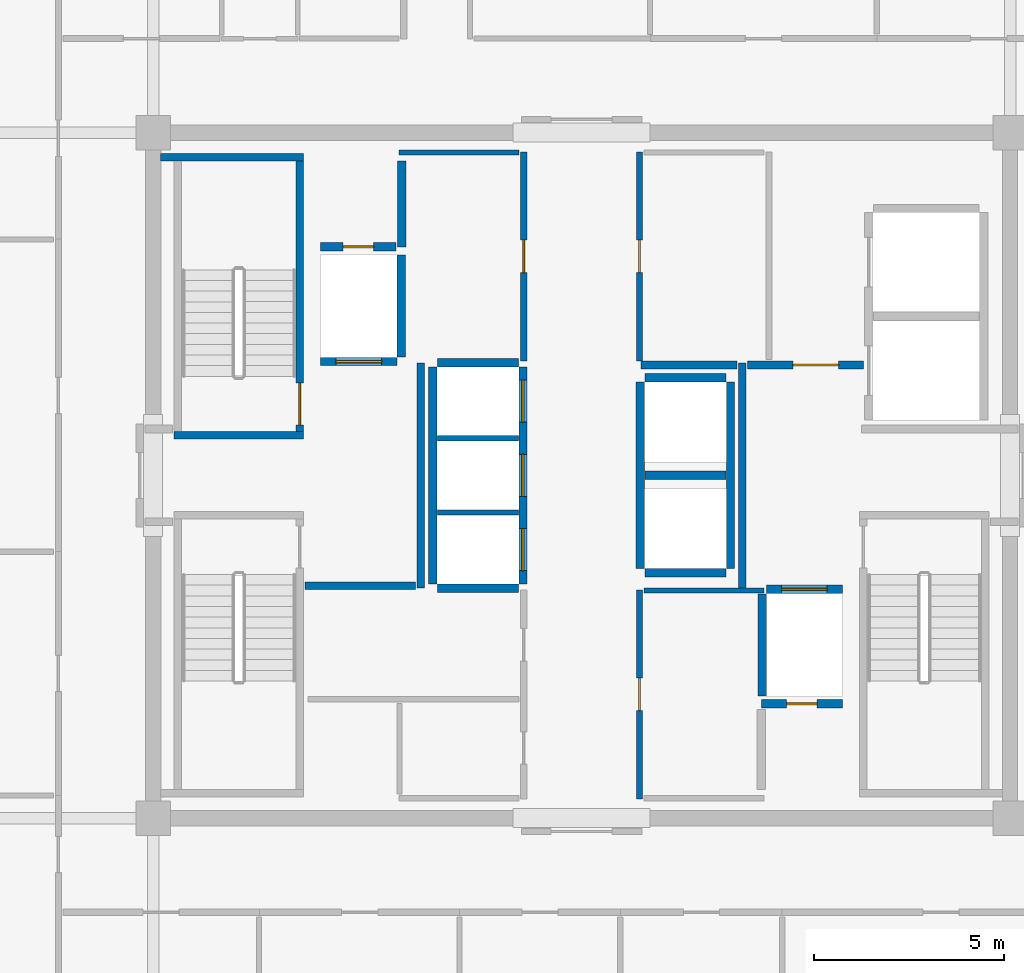
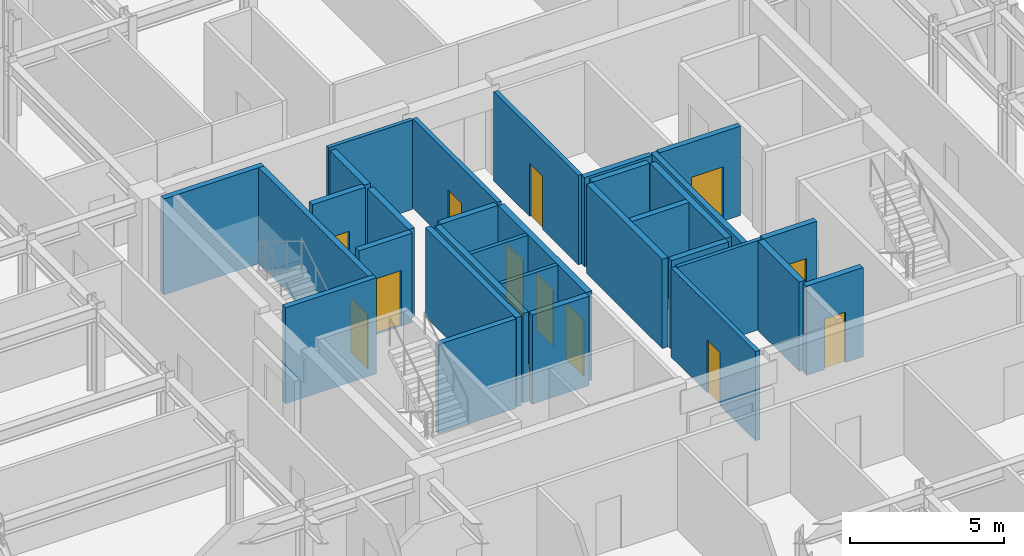
# One storey, part 12 of 16: 31 walls, 12 doors, 12 openings.
"""IFC4 building model written with IfcOpenShell, lengths in metres."""

from ifc_helpers import new_model, si_unit, direction, frame, frame_2d, origin, place, context, subcontext, project, spatial, rectangle, extrude, source, transform, mapped, material, layer, layer_set, type_object, element, fill, save


model = new_model("IFC4")

# Units and contexts
model_context = context("Model", 3, precision=1e-05, world=origin(), true_north=direction((0.0, 1.0)))
body_context = subcontext(model_context, "Body", "Model", "MODEL_VIEW")
ifc_project = project(units=[si_unit("LENGTHUNIT", "METRE"), si_unit("AREAUNIT", "SQUARE_METRE"), si_unit("VOLUMEUNIT", "CUBIC_METRE"), si_unit("PLANEANGLEUNIT", "RADIAN"), si_unit("MASSUNIT", "GRAM", prefix="KILO")], contexts=[model_context])

# Site, building, storey
site_placement = place(None, origin())
site = spatial("IfcSite", under=ifc_project, at=site_placement, CompositionType="ELEMENT")
building_placement = place(site_placement, origin())
building = spatial("IfcBuilding", under=site, at=building_placement, Name="Nefas-Gora Pilgrimage Tower", CompositionType="ELEMENT")
storey_placement = place(building_placement, frame((0.0, 0.0, 322.39990234375)))
storey = spatial("IfcBuildingStorey", under=building, at=storey_placement, Name="L81", CompositionType="ELEMENT", Elevation=322.39990234375)

# Wall
ifc_material_1 = material(Name="Concrete C45/55", Category="concrete")
ifc_layer_1 = layer(ifc_material_1, 0.199951171875)
ifc_layer_set_1 = layer_set([ifc_layer_1], Name="Concrete C45/55")
wall_type_1 = type_object("IfcWallType", Name="IW-STAIR-200", PredefinedType="SOLIDWALL", material=ifc_layer_set_1)
shared_shape_1 = source(origin(), body_context, "Body", "SweptSolid", [
    extrude(rectangle(XDim=3.39990234375, YDim=0.199951171875, at=frame_2d((1.699951171875, 0.0))), origin(), (0.0, 0.0, 1.0), 3.800048828125),
])
wall_1_placement = place(storey_placement, frame((-7.300048828125, 1.050048828125, 0.0), z_axis=(0.0, 0.0, 1.0), x_axis=(-1.0, 0.0, 0.0)))
element("IfcWall", 1, at=wall_1_placement, inside=storey, type_object=wall_type_1, Name="L81 Stairwell Shear Wall ST-01-near", PredefinedType="SOLIDWALL", context=body_context, shape_type="MappedRepresentation", body=[
    mapped(shared_shape_1, transform((0.0, 0.0, 0.0), x_axis=(1.0, 0.0, 0.0), y_axis=(0.0, 1.0, 0.0), z_axis=(0.0, 0.0, 1.0), scale=1.0)),
])

# Wall, opening, door
shared_shape_2 = source(origin(), body_context, "Body", "SweptSolid", [
    extrude(rectangle(XDim=7.10009765625, YDim=0.199951171875, at=frame_2d((3.550048828125, 0.0))), origin(), (0.0, 0.0, 1.0), 3.800048828125),
])
wall_2_placement = place(storey_placement, frame((-7.39990234375, 1.14990234375, 0.0), z_axis=(0.0, 0.0, 1.0), x_axis=(0.0, 1.0, 0.0)))
wall_2 = element("IfcWall", 2, at=wall_2_placement, inside=storey, type_object=wall_type_1, Name="L81 Stairwell Shear Wall ST-01-left", PredefinedType="SOLIDWALL", context=body_context, shape_type="MappedRepresentation", body=[
    mapped(shared_shape_2, transform((0.0, 0.0, 0.0), x_axis=(1.0, 0.0, 0.0), y_axis=(0.0, 1.0, 0.0), z_axis=(0.0, 0.0, 1.0), scale=1.0)),
])
opening_1_placement = place(wall_2_placement, frame((0.179931640625, 0.0, 0.0)))
opening_1 = element("IfcOpeningElement", 3, at=opening_1_placement, cuts=wall_2, Name="Opening ID-ST1", PredefinedType="OPENING", context=body_context, shape_type="SweptSolid", body=[
    extrude(rectangle(XDim=1.10009765625, YDim=2.14990234375, at=frame_2d((0.550048828125, 1.074951171875))), frame((0.0, 0.10986328125, 0.0), z_axis=(0.0, -1.0, 0.0), x_axis=(1.0, 0.0, 0.0)), (0.0, 0.0, 1.0), 0.219970703125),
])
ifc_material_2 = material(Name="Painted galvanised steel fire stair door", Category="steel")
door_type_1 = type_object("IfcDoorType", Name="DR-INT-STAIR-1100", OperationType="NOTDEFINED", PredefinedType="DOOR", material=ifc_material_2)
shared_shape_3 = source(origin(), body_context, "Body", "SweptSolid", [
    extrude(rectangle(XDim=1.10009765625, YDim=2.14990234375, at=frame_2d((0.550048828125, 1.074951171875))), frame((0.0, 0.02490234375, 0.0), z_axis=(0.0, -1.0, 0.0), x_axis=(1.0, 0.0, 0.0)), (0.0, 0.0, 1.0), 0.050048828125),
])
door_1_placement = place(opening_1_placement, origin())
door_1 = element("IfcDoor", 4, at=door_1_placement, inside=storey, type_object=door_type_1, Name="L81 Protected Exit Stair Door ST-01", OperationType="SINGLE_SWING_LEFT", OverallHeight=2.14990234375, OverallWidth=1.10009765625, PredefinedType="DOOR", context=body_context, shape_type="MappedRepresentation", body=[
    mapped(shared_shape_3, transform((0.0, 0.0, 0.0), x_axis=(1.0, 0.0, 0.0), y_axis=(0.0, 1.0, 0.0), z_axis=(0.0, 0.0, 1.0), scale=1.0)),
])
fill(opening_1, door_1)

# Wall
shared_shape_4 = source(origin(), body_context, "Body", "SweptSolid", [
    extrude(rectangle(XDim=3.7548828125, YDim=0.199951171875, at=frame_2d((1.87744140625, 0.0))), origin(), (0.0, 0.0, 1.0), 3.800048828125),
])
wall_3_placement = place(storey_placement, frame((-7.300048828125, 8.35009765625, 0.0), z_axis=(0.0, 0.0, 1.0), x_axis=(-1.0, 0.0, 0.0)))
element("IfcWall", 5, at=wall_3_placement, inside=storey, type_object=wall_type_1, Name="L81 Stairwell Shear Wall ST-01-far", PredefinedType="SOLIDWALL", context=body_context, shape_type="MappedRepresentation", body=[
    mapped(shared_shape_4, transform((0.0, 0.0, 0.0), x_axis=(1.0, 0.0, 0.0), y_axis=(0.0, 1.0, 0.0), z_axis=(0.0, 0.0, 1.0), scale=1.0)),
])

# Wall, opening, door
ifc_material_3 = material(Name="Concrete C40/50", Category="concrete")
ifc_layer_2 = layer(ifc_material_3, 0.219970703125)
ifc_layer_set_2 = layer_set([ifc_layer_2], Name="Concrete C40/50")
wall_type_2 = type_object("IfcWallType", Name="IW-SHAFT-220", PredefinedType="SOLIDWALL", material=ifc_layer_set_2)
shared_shape_5 = source(origin(), body_context, "Body", "SweptSolid", [
    extrude(rectangle(XDim=2.0, YDim=0.219970703125, at=frame_2d((1.0, 0.0))), origin(), (0.0, 0.0, 1.0), 3.53515625),
])
wall_4_placement = place(storey_placement, frame((-6.85009765625, 2.989990234375, 0.0), z_axis=(0.0, 0.0, 1.0), x_axis=(1.0, 0.0, 0.0)))
wall_4 = element("IfcWall", 6, at=wall_4_placement, inside=storey, type_object=wall_type_2, Name="L81 Hoistway Wall FFL-01-S", PredefinedType="SOLIDWALL", context=body_context, shape_type="MappedRepresentation", body=[
    mapped(shared_shape_5, transform((0.0, 0.0, 0.0), x_axis=(1.0, 0.0, 0.0), y_axis=(0.0, 1.0, 0.0), z_axis=(0.0, 0.0, 1.0), scale=1.0)),
])
opening_2_placement = place(wall_4_placement, frame((0.39990234375, 0.0, 0.0)))
opening_2 = element("IfcOpeningElement", 7, at=opening_2_placement, cuts=wall_4, Name="Opening LD-FF", PredefinedType="OPENING", context=body_context, shape_type="SweptSolid", body=[
    extrude(rectangle(XDim=1.199951171875, YDim=2.199951171875, at=frame_2d((0.60009765625, 1.10009765625))), frame((0.0, 0.119873046875, 0.0), z_axis=(0.0, -1.0, 0.0), x_axis=(1.0, 0.0, 0.0)), (0.0, 0.0, 1.0), 0.239990234375),
])
ifc_material_4 = material(Name="Fire-service sliding lift landing door")
door_type_2 = type_object("IfcDoorType", Name="DR-LIFT-FSAE-1200", OperationType="SLIDING_TO_LEFT", PredefinedType="DOOR", material=ifc_material_4)
shared_shape_6 = source(origin(), body_context, "Body", "SweptSolid", [
    extrude(rectangle(XDim=1.199951171875, YDim=2.199951171875, at=frame_2d((0.60009765625, 1.10009765625))), frame((0.0, 0.02490234375, 0.0), z_axis=(0.0, -1.0, 0.0), x_axis=(1.0, 0.0, 0.0)), (0.0, 0.0, 1.0), 0.050048828125),
])
door_2_placement = place(opening_2_placement, origin())
door_2 = element("IfcDoor", 8, at=door_2_placement, inside=storey, type_object=door_type_2, Name="L81 Sliding Lift Landing Door FFL-01", OperationType="SLIDING_TO_LEFT", OverallHeight=2.199951171875, OverallWidth=1.199951171875, PredefinedType="DOOR", context=body_context, shape_type="MappedRepresentation", body=[
    mapped(shared_shape_6, transform((0.0, 0.0, 0.0), x_axis=(1.0, 0.0, 0.0), y_axis=(0.0, 1.0, 0.0), z_axis=(0.0, 0.0, 1.0), scale=1.0)),
])
fill(opening_2, door_2)

wall_5_placement = place(storey_placement, frame((6.85009765625, -2.989990234375, 0.0), z_axis=(0.0, 0.0, 1.0), x_axis=(-1.0, 0.0, 0.0)))
wall_5 = element("IfcWall", 9, at=wall_5_placement, inside=storey, type_object=wall_type_2, Name="L81 Hoistway Wall FFL-02-N", PredefinedType="SOLIDWALL", context=body_context, shape_type="MappedRepresentation", body=[
    mapped(shared_shape_5, transform((0.0, 0.0, 0.0), x_axis=(1.0, 0.0, 0.0), y_axis=(0.0, 1.0, 0.0), z_axis=(0.0, 0.0, 1.0), scale=1.0)),
])
opening_3_placement = place(wall_5_placement, frame((0.39990234375, 0.0, 0.0)))
opening_3 = element("IfcOpeningElement", 10, at=opening_3_placement, cuts=wall_5, Name="Opening LD-FF", PredefinedType="OPENING", context=body_context, shape_type="SweptSolid", body=[
    extrude(rectangle(XDim=1.199951171875, YDim=2.199951171875, at=frame_2d((0.60009765625, 1.10009765625))), frame((0.0, 0.119873046875, 0.0), z_axis=(0.0, -1.0, 0.0), x_axis=(1.0, 0.0, 0.0)), (0.0, 0.0, 1.0), 0.239990234375),
])
door_3_placement = place(opening_3_placement, origin())
door_3 = element("IfcDoor", 11, at=door_3_placement, inside=storey, type_object=door_type_2, Name="L81 Sliding Lift Landing Door FFL-02", OperationType="SLIDING_TO_LEFT", OverallHeight=2.199951171875, OverallWidth=1.199951171875, PredefinedType="DOOR", context=body_context, shape_type="MappedRepresentation", body=[
    mapped(shared_shape_6, transform((0.0, 0.0, 0.0), x_axis=(1.0, 0.0, 0.0), y_axis=(0.0, 1.0, 0.0), z_axis=(0.0, 0.0, 1.0), scale=1.0)),
])
fill(opening_3, door_3)

# Walls
shared_shape_7 = source(origin(), body_context, "Body", "SweptSolid", [
    extrude(rectangle(XDim=2.679931640625, YDim=0.219970703125, at=frame_2d((1.33984375, 0.0))), origin(), (0.0, 0.0, 1.0), 3.53515625),
])
for number, where, z_axis, x_axis, name in (
    (12, (-4.739990234375, 3.110107421875, 0.0), (0.0, 0.0, 1.0), (0.0, 1.0, 0.0), "L81 Hoistway Wall FFL-01-E"),
    (13, (4.739990234375, -3.110107421875, 0.0), (0.0, 0.0, 1.0), (0.0, -1.0, 0.0), "L81 Hoistway Wall FFL-02-W"),
):
    element("IfcWall", number, at=place(storey_placement, frame(where, z_axis=z_axis, x_axis=x_axis)), inside=storey, type_object=wall_type_2, Name=name, PredefinedType="SOLIDWALL", context=body_context, shape_type="MappedRepresentation", body=[
        mapped(shared_shape_7, transform((0.0, 0.0, 0.0), x_axis=(1.0, 0.0, 0.0), y_axis=(0.0, 1.0, 0.0), z_axis=(0.0, 0.0, 1.0), scale=1.0)),
    ])

# Wall, openings, doors
shared_shape_8 = source(origin(), body_context, "Body", "SweptSolid", [
    extrude(rectangle(XDim=5.7001953125, YDim=0.219970703125, at=frame_2d((2.85009765625, 0.0))), origin(), (0.0, 0.0, 1.0), 3.53515625),
])
wall_6_placement = place(storey_placement, frame((-1.5400390625, -2.85009765625, 0.0), z_axis=(0.0, 0.0, 1.0), x_axis=(0.0, 1.0, 0.0)))
wall_6 = element("IfcWall", 14, at=wall_6_placement, inside=storey, type_object=wall_type_2, Name="L81 Hoistway Wall PL3-01-03-E", PredefinedType="SOLIDWALL", context=body_context, shape_type="MappedRepresentation", body=[
    mapped(shared_shape_8, transform((0.0, 0.0, 0.0), x_axis=(1.0, 0.0, 0.0), y_axis=(0.0, 1.0, 0.0), z_axis=(0.0, 0.0, 1.0), scale=1.0)),
])
opening_4_placement = place(wall_6_placement, frame((0.35009765625, 0.0, 0.0)))
opening_4 = element("IfcOpeningElement", 15, at=opening_4_placement, cuts=wall_6, Name="Opening LD-01", PredefinedType="OPENING", context=body_context, shape_type="SweptSolid", body=[
    extrude(rectangle(XDim=1.10009765625, YDim=2.199951171875, at=frame_2d((0.550048828125, 1.10009765625))), frame((0.0, 0.119873046875, 0.0), z_axis=(0.0, -1.0, 0.0), x_axis=(1.0, 0.0, 0.0)), (0.0, 0.0, 1.0), 0.239990234375),
])
opening_5_placement = place(wall_6_placement, frame((2.300048828125, 0.0, 0.0)))
opening_5 = element("IfcOpeningElement", 16, at=opening_5_placement, cuts=wall_6, Name="Opening LD-01", PredefinedType="OPENING", context=body_context, shape_type="SweptSolid", body=[
    extrude(rectangle(XDim=1.10009765625, YDim=2.199951171875, at=frame_2d((0.550048828125, 1.10009765625))), frame((0.0, 0.119873046875, 0.0), z_axis=(0.0, -1.0, 0.0), x_axis=(1.0, 0.0, 0.0)), (0.0, 0.0, 1.0), 0.239990234375),
])
opening_6_placement = place(wall_6_placement, frame((4.25, 0.0, 0.0)))
opening_6 = element("IfcOpeningElement", 17, at=opening_6_placement, cuts=wall_6, Name="Opening LD-01", PredefinedType="OPENING", context=body_context, shape_type="SweptSolid", body=[
    extrude(rectangle(XDim=1.10009765625, YDim=2.199951171875, at=frame_2d((0.550048828125, 1.10009765625))), frame((0.0, 0.119873046875, 0.0), z_axis=(0.0, -1.0, 0.0), x_axis=(1.0, 0.0, 0.0)), (0.0, 0.0, 1.0), 0.239990234375),
])
ifc_material_5 = material(Name="Brushed stainless sliding lift landing door")
door_type_3 = type_object("IfcDoorType", Name="DR-LIFT-PASS-1100", OperationType="DOUBLE_DOOR_SLIDING", PredefinedType="DOOR", material=ifc_material_5)
shared_shape_9 = source(origin(), body_context, "Body", "SweptSolid", [
    extrude(rectangle(XDim=1.10009765625, YDim=2.199951171875, at=frame_2d((0.550048828125, 1.10009765625))), frame((0.0, 0.02490234375, 0.0), z_axis=(0.0, -1.0, 0.0), x_axis=(1.0, 0.0, 0.0)), (0.0, 0.0, 1.0), 0.050048828125),
])
door_4_placement = place(opening_4_placement, origin())
door_4 = element("IfcDoor", 18, at=door_4_placement, inside=storey, type_object=door_type_3, Name="L81 Sliding Lift Landing Door PL3-01", OperationType="DOUBLE_DOOR_SLIDING", OverallHeight=2.199951171875, OverallWidth=1.10009765625, PredefinedType="DOOR", context=body_context, shape_type="MappedRepresentation", body=[
    mapped(shared_shape_9, transform((0.0, 0.0, 0.0), x_axis=(1.0, 0.0, 0.0), y_axis=(0.0, 1.0, 0.0), z_axis=(0.0, 0.0, 1.0), scale=1.0)),
])
fill(opening_4, door_4)
door_5_placement = place(opening_5_placement, origin())
door_5 = element("IfcDoor", 19, at=door_5_placement, inside=storey, type_object=door_type_3, Name="L81 Sliding Lift Landing Door PL3-02", OperationType="DOUBLE_DOOR_SLIDING", OverallHeight=2.199951171875, OverallWidth=1.10009765625, PredefinedType="DOOR", context=body_context, shape_type="MappedRepresentation", body=[
    mapped(shared_shape_9, transform((0.0, 0.0, 0.0), x_axis=(1.0, 0.0, 0.0), y_axis=(0.0, 1.0, 0.0), z_axis=(0.0, 0.0, 1.0), scale=1.0)),
])
fill(opening_5, door_5)
door_6_placement = place(opening_6_placement, origin())
door_6 = element("IfcDoor", 20, at=door_6_placement, inside=storey, type_object=door_type_3, Name="L81 Sliding Lift Landing Door PL3-03", OperationType="DOUBLE_DOOR_SLIDING", OverallHeight=2.199951171875, OverallWidth=1.10009765625, PredefinedType="DOOR", context=body_context, shape_type="MappedRepresentation", body=[
    mapped(shared_shape_9, transform((0.0, 0.0, 0.0), x_axis=(1.0, 0.0, 0.0), y_axis=(0.0, 1.0, 0.0), z_axis=(0.0, 0.0, 1.0), scale=1.0)),
])
fill(opening_6, door_6)

# Walls
wall_7_placement = place(storey_placement, frame((-3.909912109375, 2.85009765625, 0.0), z_axis=(0.0, 0.0, 1.0), x_axis=(0.0, -1.0, 0.0)))
element("IfcWall", 21, at=wall_7_placement, inside=storey, type_object=wall_type_2, Name="L81 Hoistway Wall PL3-01-03-W", PredefinedType="SOLIDWALL", context=body_context, shape_type="MappedRepresentation", body=[
    mapped(shared_shape_8, transform((0.0, 0.0, 0.0), x_axis=(1.0, 0.0, 0.0), y_axis=(0.0, 1.0, 0.0), z_axis=(0.0, 0.0, 1.0), scale=1.0)),
])
shared_shape_10 = source(origin(), body_context, "Body", "SweptSolid", [
    extrude(rectangle(XDim=2.130126953125, YDim=0.219970703125, at=frame_2d((1.06494140625, 0.0))), origin(), (0.0, 0.0, 1.0), 3.53515625),
])
for number, where, z_axis, x_axis, name in (
    (22, (-3.7900390625, -2.9599609375, 0.0), (0.0, 0.0, 1.0), (1.0, 0.0, 0.0), "L81 Hoistway Wall PL3-01-S"),
    (23, (-1.659912109375, 2.9599609375, 0.0), (0.0, 0.0, 1.0), (-1.0, 0.0, 0.0), "L81 Hoistway Wall PL3-03-N"),
    (24, (1.659912109375, -2.56005859375, 0.0), (0.0, 0.0, 1.0), (1.0, 0.0, 0.0), "L81 Hoistway Wall OBS-01-S"),
    (25, (1.659912109375, 0.0, 0.0), (0.0, 0.0, 1.0), (1.0, 0.0, 0.0), "L81 Hoistway Wall OBS-01-02-DIV"),
    (26, (3.7900390625, 2.56005859375, 0.0), (0.0, 0.0, 1.0), (-1.0, 0.0, 0.0), "L81 Hoistway Wall OBS-02-N"),
):
    element("IfcWall", number, at=place(storey_placement, frame(where, z_axis=z_axis, x_axis=x_axis)), inside=storey, type_object=wall_type_2, Name=name, PredefinedType="SOLIDWALL", context=body_context, shape_type="MappedRepresentation", body=[
        mapped(shared_shape_10, transform((0.0, 0.0, 0.0), x_axis=(1.0, 0.0, 0.0), y_axis=(0.0, 1.0, 0.0), z_axis=(0.0, 0.0, 1.0), scale=1.0)),
    ])

# Wall, opening, door
wall_8_placement = place(storey_placement, frame((4.719970703125, -6.0, 0.0), z_axis=(0.0, 0.0, 1.0), x_axis=(1.0, 0.0, 0.0)))
wall_8 = element("IfcWall", 27, at=wall_8_placement, inside=storey, type_object=wall_type_2, Name="L81 Riser Shaft Wall 3", PredefinedType="SOLIDWALL", context=body_context, shape_type="MappedRepresentation", body=[
    mapped(shared_shape_10, transform((0.0, 0.0, 0.0), x_axis=(1.0, 0.0, 0.0), y_axis=(0.0, 1.0, 0.0), z_axis=(0.0, 0.0, 1.0), scale=1.0)),
])
opening_7_placement = place(wall_8_placement, frame((0.6650390625, 0.0, 0.0)))
opening_7 = element("IfcOpeningElement", 28, at=opening_7_placement, cuts=wall_8, Name="Opening ID-TR1", PredefinedType="OPENING", context=body_context, shape_type="SweptSolid", body=[
    extrude(rectangle(XDim=0.800048828125, YDim=2.0, at=frame_2d((0.39990234375, 1.0))), frame((0.0, 0.119873046875, 0.0), z_axis=(0.0, -1.0, 0.0), x_axis=(1.0, 0.0, 0.0)), (0.0, 0.0, 1.0), 0.239990234375),
])
ifc_material_6 = material(Name="Riser maintenance fire access door")
door_type_4 = type_object("IfcDoorType", Name="DR-INT-TRAP-800", OperationType="NOTDEFINED", PredefinedType="TRAPDOOR", material=ifc_material_6)
shared_shape_11 = source(origin(), body_context, "Body", "SweptSolid", [
    extrude(rectangle(XDim=0.800048828125, YDim=2.0, at=frame_2d((0.39990234375, 1.0))), frame((0.0, 0.02490234375, 0.0), z_axis=(0.0, -1.0, 0.0), x_axis=(1.0, 0.0, 0.0)), (0.0, 0.0, 1.0), 0.050048828125),
])
door_7_placement = place(opening_7_placement, origin())
door_7 = element("IfcDoor", 29, at=door_7_placement, inside=storey, type_object=door_type_4, Name="L81 Riser Shaft Door 2", OperationType="SINGLE_SWING_LEFT", OverallHeight=2.0, OverallWidth=0.800048828125, PredefinedType="TRAPDOOR", context=body_context, shape_type="MappedRepresentation", body=[
    mapped(shared_shape_11, transform((0.0, 0.0, 0.0), x_axis=(1.0, 0.0, 0.0), y_axis=(0.0, 1.0, 0.0), z_axis=(0.0, 0.0, 1.0), scale=1.0)),
])
fill(opening_7, door_7)

# Walls
ifc_material_7 = material(Name="Gypsum twin-stud partition")
ifc_layer_3 = layer(ifc_material_7, 0.139892578125)
ifc_layer_set_3 = layer_set([ifc_layer_3], Name="Gypsum twin-stud partition")
wall_type_3 = type_object("IfcWallType", Name="IW-UNIT-140", PredefinedType="PARTITIONING", material=ifc_layer_set_3)
shared_shape_12 = source(origin(), body_context, "Body", "SweptSolid", [
    extrude(rectangle(XDim=2.130126953125, YDim=0.139892578125, at=frame_2d((1.06494140625, 0.0))), origin(), (0.0, 0.0, 1.0), 3.53515625),
])
for number, where, z_axis, x_axis, name in (
    (30, (-3.7900390625, -0.97509765625, 0.0), (0.0, 0.0, 1.0), (1.0, 0.0, 0.0), "L81 Hoistway Wall PL3-01-02-DIV"),
    (31, (-3.7900390625, 0.97509765625, 0.0), (0.0, 0.0, 1.0), (1.0, 0.0, 0.0), "L81 Hoistway Wall PL3-02-03-DIV"),
):
    element("IfcWall", number, at=place(storey_placement, frame(where, z_axis=z_axis, x_axis=x_axis)), inside=storey, type_object=wall_type_3, Name=name, PredefinedType="PARTITIONING", context=body_context, shape_type="MappedRepresentation", body=[
        mapped(shared_shape_12, transform((0.0, 0.0, 0.0), x_axis=(1.0, 0.0, 0.0), y_axis=(0.0, 1.0, 0.0), z_axis=(0.0, 0.0, 1.0), scale=1.0)),
    ])
shared_shape_13 = source(origin(), body_context, "Body", "SweptSolid", [
    extrude(rectangle(XDim=4.89990234375, YDim=0.219970703125, at=frame_2d((2.449951171875, 0.0))), origin(), (0.0, 0.0, 1.0), 3.53515625),
])
for number, where, z_axis, x_axis, name in (
    (32, (1.5400390625, 2.449951171875, 0.0), (0.0, 0.0, 1.0), (0.0, -1.0, 0.0), "L81 Hoistway Wall OBS-01-02-W"),
    (33, (3.909912109375, -2.449951171875, 0.0), (0.0, 0.0, 1.0), (0.0, 1.0, 0.0), "L81 Hoistway Wall OBS-01-02-E"),
):
    element("IfcWall", number, at=place(storey_placement, frame(where, z_axis=z_axis, x_axis=x_axis)), inside=storey, type_object=wall_type_2, Name=name, PredefinedType="SOLIDWALL", context=body_context, shape_type="MappedRepresentation", body=[
        mapped(shared_shape_13, transform((0.0, 0.0, 0.0), x_axis=(1.0, 0.0, 0.0), y_axis=(0.0, 1.0, 0.0), z_axis=(0.0, 0.0, 1.0), scale=1.0)),
    ])
ifc_material_8 = material(Name="Gypsum fire-rated shaftwall")
ifc_layer_4 = layer(ifc_material_8, 0.199951171875)
ifc_layer_set_4 = layer_set([ifc_layer_4], Name="Gypsum fire-rated shaftwall")
wall_type_4 = type_object("IfcWallType", Name="IW-FFLOB-200", PredefinedType="PARTITIONING", material=ifc_layer_set_4)
shared_shape_14 = source(origin(), body_context, "Body", "SweptSolid", [
    extrude(rectangle(XDim=5.89990234375, YDim=0.199951171875, at=frame_2d((2.949951171875, 0.0))), origin(), (0.0, 0.0, 1.0), 3.53515625),
])
for number, where, z_axis, x_axis, name in (
    (34, (-4.219970703125, -2.949951171875, 0.0), (0.0, 0.0, 1.0), (0.0, 1.0, 0.0), "L81 FF Lobby West Inner Wall Wall 6"),
    (35, (4.219970703125, -2.949951171875, 0.0), (0.0, 0.0, 1.0), (0.0, 1.0, 0.0), "L81 FF Lobby East Inner Wall Wall 11"),
):
    element("IfcWall", number, at=place(storey_placement, frame(where, z_axis=z_axis, x_axis=x_axis)), inside=storey, type_object=wall_type_4, Name=name, PredefinedType="PARTITIONING", context=body_context, shape_type="MappedRepresentation", body=[
        mapped(shared_shape_14, transform((0.0, 0.0, 0.0), x_axis=(1.0, 0.0, 0.0), y_axis=(0.0, 1.0, 0.0), z_axis=(0.0, 0.0, 1.0), scale=1.0)),
    ])
shared_shape_15 = source(origin(), body_context, "Body", "SweptSolid", [
    extrude(rectangle(XDim=2.89990234375, YDim=0.199951171875, at=frame_2d((1.449951171875, 0.0))), origin(), (0.0, 0.0, 1.0), 3.53515625),
])
wall_9_placement = place(storey_placement, frame((-7.260009765625, -2.89990234375, 0.0), z_axis=(0.0, 0.0, 1.0), x_axis=(1.0, 0.0, 0.0)))
element("IfcWall", 36, at=wall_9_placement, inside=storey, type_object=wall_type_4, Name="L81 FF Lobby West South Wall Wall 7", PredefinedType="PARTITIONING", context=body_context, shape_type="MappedRepresentation", body=[
    mapped(shared_shape_15, transform((0.0, 0.0, 0.0), x_axis=(1.0, 0.0, 0.0), y_axis=(0.0, 1.0, 0.0), z_axis=(0.0, 0.0, 1.0), scale=1.0)),
])

# Wall, opening, door
shared_shape_16 = source(origin(), body_context, "Body", "SweptSolid", [
    extrude(rectangle(XDim=3.039794921875, YDim=0.199951171875, at=frame_2d((1.52001953125, 0.0))), origin(), (0.0, 0.0, 1.0), 3.53515625),
])
wall_10_placement = place(storey_placement, frame((4.360107421875, 2.89990234375, 0.0), z_axis=(0.0, 0.0, 1.0), x_axis=(1.0, 0.0, 0.0)))
wall_10 = element("IfcWall", 37, at=wall_10_placement, inside=storey, type_object=wall_type_4, Name="L81 FF Lobby East North Wall Wall 13", PredefinedType="PARTITIONING", context=body_context, shape_type="MappedRepresentation", body=[
    mapped(shared_shape_16, transform((0.0, 0.0, 0.0), x_axis=(1.0, 0.0, 0.0), y_axis=(0.0, 1.0, 0.0), z_axis=(0.0, 0.0, 1.0), scale=1.0)),
])
opening_8_placement = place(wall_10_placement, frame((1.18994140625, 0.0, 0.0)))
opening_8 = element("IfcOpeningElement", 38, at=opening_8_placement, cuts=wall_10, Name="Opening ID-PL1", PredefinedType="OPENING", context=body_context, shape_type="SweptSolid", body=[
    extrude(rectangle(XDim=1.199951171875, YDim=2.14990234375, at=frame_2d((0.60009765625, 1.074951171875))), frame((0.0, 0.10986328125, 0.0), z_axis=(0.0, -1.0, 0.0), x_axis=(1.0, 0.0, 0.0)), (0.0, 0.0, 1.0), 0.219970703125),
])
ifc_material_9 = material(Name="Heavy-duty steel plant room fire door", Category="steel")
door_type_5 = type_object("IfcDoorType", Name="DR-INT-PLANT-1200", OperationType="NOTDEFINED", PredefinedType="DOOR", material=ifc_material_9)
shared_shape_17 = source(origin(), body_context, "Body", "SweptSolid", [
    extrude(rectangle(XDim=1.199951171875, YDim=2.14990234375, at=frame_2d((0.60009765625, 1.074951171875))), frame((0.0, 0.02490234375, 0.0), z_axis=(0.0, -1.0, 0.0), x_axis=(1.0, 0.0, 0.0)), (0.0, 0.0, 1.0), 0.050048828125),
])
door_8_placement = place(opening_8_placement, origin())
door_8 = element("IfcDoor", 39, at=door_8_placement, inside=storey, type_object=door_type_5, Name="L81 Service Lift Lobby Door Door 5", OperationType="SINGLE_SWING_RIGHT", OverallHeight=2.14990234375, OverallWidth=1.199951171875, PredefinedType="DOOR", context=body_context, shape_type="MappedRepresentation", body=[
    mapped(shared_shape_17, transform((0.0, 0.0, 0.0), x_axis=(1.0, 0.0, 0.0), y_axis=(0.0, 1.0, 0.0), z_axis=(0.0, 0.0, 1.0), scale=1.0)),
])
fill(opening_8, door_8)

# Walls
shared_shape_18 = source(origin(), body_context, "Body", "SweptSolid", [
    extrude(rectangle(XDim=3.150146484375, YDim=0.139892578125, at=frame_2d((1.5751953125, 0.0))), origin(), (0.0, 0.0, 1.0), 3.53515625),
])
for number, where, z_axis, x_axis, name in (
    (40, (-4.7900390625, 8.47998046875, 0.0), (0.0, 0.0, 1.0), (1.0, 0.0, 0.0), "L81 Housekeeping and Linen Store Partition Wall 20"),
    (41, (1.639892578125, -3.02001953125, 0.0), (0.0, 0.0, 1.0), (1.0, 0.0, 0.0), "L81 Freed Bank-2 East Linen Store Partition Wall 28"),
):
    element("IfcWall", number, at=place(storey_placement, frame(where, z_axis=z_axis, x_axis=x_axis)), inside=storey, type_object=wall_type_3, Name=name, PredefinedType="PARTITIONING", context=body_context, shape_type="MappedRepresentation", body=[
        mapped(shared_shape_18, transform((0.0, 0.0, 0.0), x_axis=(1.0, 0.0, 0.0), y_axis=(0.0, 1.0, 0.0), z_axis=(0.0, 0.0, 1.0), scale=1.0)),
    ])
shared_shape_19 = source(origin(), body_context, "Body", "SweptSolid", [
    extrude(rectangle(XDim=2.25, YDim=0.219970703125, at=frame_2d((1.125, 0.0))), origin(), (0.0, 0.0, 1.0), 3.53515625),
])
wall_11_placement = place(storey_placement, frame((-4.719970703125, 6.0, 0.0), z_axis=(0.0, 0.0, 1.0), x_axis=(0.0, 1.0, 0.0)))
element("IfcWall", 42, at=wall_11_placement, inside=storey, type_object=wall_type_2, Name="L81 Riser Shaft Wall 1", PredefinedType="SOLIDWALL", context=body_context, shape_type="MappedRepresentation", body=[
    mapped(shared_shape_19, transform((0.0, 0.0, 0.0), x_axis=(1.0, 0.0, 0.0), y_axis=(0.0, 1.0, 0.0), z_axis=(0.0, 0.0, 1.0), scale=1.0)),
])

# Wall, opening, door
shared_shape_20 = source(origin(), body_context, "Body", "SweptSolid", [
    extrude(rectangle(XDim=1.97998046875, YDim=0.219970703125, at=frame_2d((0.989990234375, 0.0))), origin(), (0.0, 0.0, 1.0), 3.53515625),
])
wall_12_placement = place(storey_placement, frame((-6.85009765625, 6.0, 0.0), z_axis=(0.0, 0.0, 1.0), x_axis=(1.0, 0.0, 0.0)))
wall_12 = element("IfcWall", 43, at=wall_12_placement, inside=storey, type_object=wall_type_2, Name="L81 Riser Shaft Wall 2", PredefinedType="SOLIDWALL", context=body_context, shape_type="MappedRepresentation", body=[
    mapped(shared_shape_20, transform((0.0, 0.0, 0.0), x_axis=(1.0, 0.0, 0.0), y_axis=(0.0, 1.0, 0.0), z_axis=(0.0, 0.0, 1.0), scale=1.0)),
])
opening_9_placement = place(wall_12_placement, frame((0.590087890625, 0.0, 0.0)))
opening_9 = element("IfcOpeningElement", 44, at=opening_9_placement, cuts=wall_12, Name="Opening ID-TR1", PredefinedType="OPENING", context=body_context, shape_type="SweptSolid", body=[
    extrude(rectangle(XDim=0.800048828125, YDim=2.0, at=frame_2d((0.39990234375, 1.0))), frame((0.0, 0.119873046875, 0.0), z_axis=(0.0, -1.0, 0.0), x_axis=(1.0, 0.0, 0.0)), (0.0, 0.0, 1.0), 0.239990234375),
])
door_9_placement = place(opening_9_placement, origin())
door_9 = element("IfcDoor", 45, at=door_9_placement, inside=storey, type_object=door_type_4, Name="L81 Riser Shaft Door 1", OperationType="SINGLE_SWING_RIGHT", OverallHeight=2.0, OverallWidth=0.800048828125, PredefinedType="TRAPDOOR", context=body_context, shape_type="MappedRepresentation", body=[
    mapped(shared_shape_11, transform((0.0, 0.0, 0.0), x_axis=(1.0, 0.0, 0.0), y_axis=(0.0, 1.0, 0.0), z_axis=(0.0, 0.0, 1.0), scale=1.0)),
])
fill(opening_9, door_9)

# Wall
shared_shape_21 = source(origin(), body_context, "Body", "SweptSolid", [
    extrude(rectangle(XDim=2.52001953125, YDim=0.199951171875, at=frame_2d((1.260009765625, 0.0))), origin(), (0.0, 0.0, 1.0), 3.53515625),
])
wall_13_placement = place(storey_placement, frame((1.56005859375, 2.89990234375, 0.0), z_axis=(0.0, 0.0, 1.0), x_axis=(1.0, 0.0, 0.0)))
element("IfcWall", 46, at=wall_13_placement, inside=storey, type_object=wall_type_4, Name="L81 FF Lobby East North Wall Wall 12", PredefinedType="PARTITIONING", context=body_context, shape_type="MappedRepresentation", body=[
    mapped(shared_shape_21, transform((0.0, 0.0, 0.0), x_axis=(1.0, 0.0, 0.0), y_axis=(0.0, 1.0, 0.0), z_axis=(0.0, 0.0, 1.0), scale=1.0)),
])

# Wall, opening, door
ifc_material_10 = material(Name="Gypsum acoustic stud partition")
ifc_layer_5 = layer(ifc_material_10, 0.159912109375)
ifc_layer_set_5 = layer_set([ifc_layer_5], Name="Gypsum acoustic stud partition")
wall_type_5 = type_object("IfcWallType", Name="IW-CORR-160", PredefinedType="PARTITIONING", material=ifc_layer_set_5)
shared_shape_22 = source(origin(), body_context, "Body", "SweptSolid", [
    extrude(rectangle(XDim=5.47998046875, YDim=0.159912109375, at=frame_2d((2.739990234375, 0.0))), origin(), (0.0, 0.0, 1.0), 3.53515625),
])
wall_14_placement = place(storey_placement, frame((-1.52001953125, 3.010009765625, 0.0), z_axis=(0.0, 0.0, 1.0), x_axis=(0.0, 1.0, 0.0)))
wall_14 = element("IfcWall", 47, at=wall_14_placement, inside=storey, type_object=wall_type_5, Name="L81 Housekeeping and Linen Store Wall 19", PredefinedType="PARTITIONING", context=body_context, shape_type="MappedRepresentation", body=[
    mapped(shared_shape_22, transform((0.0, 0.0, 0.0), x_axis=(1.0, 0.0, 0.0), y_axis=(0.0, 1.0, 0.0), z_axis=(0.0, 0.0, 1.0), scale=1.0)),
])
opening_10_placement = place(wall_14_placement, frame((2.31494140625, 0.0, 0.0)))
opening_10 = element("IfcOpeningElement", 48, at=opening_10_placement, cuts=wall_14, Name="Opening ID-BT1", PredefinedType="OPENING", context=body_context, shape_type="SweptSolid", body=[
    extrude(rectangle(XDim=0.85009765625, YDim=2.10009765625, at=frame_2d((0.425048828125, 1.050048828125))), frame((0.0, 0.08984375, 0.0), z_axis=(0.0, -1.0, 0.0), x_axis=(1.0, 0.0, 0.0)), (0.0, 0.0, 1.0), 0.179931640625),
])
ifc_material_11 = material(Name="Moisture-resistant fire-rated timber door", Category="wood")
door_type_6 = type_object("IfcDoorType", Name="DR-INT-BATH-850", OperationType="NOTDEFINED", PredefinedType="DOOR", material=ifc_material_11)
shared_shape_23 = source(origin(), body_context, "Body", "SweptSolid", [
    extrude(rectangle(XDim=0.85009765625, YDim=2.10009765625, at=frame_2d((0.425048828125, 1.050048828125))), frame((0.0, 0.02490234375, 0.0), z_axis=(0.0, -1.0, 0.0), x_axis=(1.0, 0.0, 0.0)), (0.0, 0.0, 1.0), 0.050048828125),
])
door_10_placement = place(opening_10_placement, origin())
door_10 = element("IfcDoor", 49, at=door_10_placement, inside=storey, type_object=door_type_6, Name="L81 Housekeeping and Linen Store Door 8", OperationType="SINGLE_SWING_LEFT", OverallHeight=2.10009765625, OverallWidth=0.85009765625, PredefinedType="DOOR", context=body_context, shape_type="MappedRepresentation", body=[
    mapped(shared_shape_23, transform((0.0, 0.0, 0.0), x_axis=(1.0, 0.0, 0.0), y_axis=(0.0, 1.0, 0.0), z_axis=(0.0, 0.0, 1.0), scale=1.0)),
])
fill(opening_10, door_10)

wall_15_placement = place(storey_placement, frame((1.52001953125, 3.010009765625, 0.0), z_axis=(0.0, 0.0, 1.0), x_axis=(0.0, 1.0, 0.0)))
wall_15 = element("IfcWall", 50, at=wall_15_placement, inside=storey, type_object=wall_type_5, Name="L81 Freed Bank-1 Amenity Supply Store Wall 23", PredefinedType="PARTITIONING", context=body_context, shape_type="MappedRepresentation", body=[
    mapped(shared_shape_22, transform((0.0, 0.0, 0.0), x_axis=(1.0, 0.0, 0.0), y_axis=(0.0, 1.0, 0.0), z_axis=(0.0, 0.0, 1.0), scale=1.0)),
])
opening_11_placement = place(wall_15_placement, frame((2.31494140625, 0.0, 0.0)))
opening_11 = element("IfcOpeningElement", 51, at=opening_11_placement, cuts=wall_15, Name="Opening ID-BT1", PredefinedType="OPENING", context=body_context, shape_type="SweptSolid", body=[
    extrude(rectangle(XDim=0.85009765625, YDim=2.10009765625, at=frame_2d((0.425048828125, 1.050048828125))), frame((0.0, 0.08984375, 0.0), z_axis=(0.0, -1.0, 0.0), x_axis=(1.0, 0.0, 0.0)), (0.0, 0.0, 1.0), 0.179931640625),
])
door_11_placement = place(opening_11_placement, origin())
door_11 = element("IfcDoor", 52, at=door_11_placement, inside=storey, type_object=door_type_6, Name="L81 Freed Bank-1 Amenity Supply Store Door 11", OperationType="SINGLE_SWING_RIGHT", OverallHeight=2.10009765625, OverallWidth=0.85009765625, PredefinedType="DOOR", context=body_context, shape_type="MappedRepresentation", body=[
    mapped(shared_shape_23, transform((0.0, 0.0, 0.0), x_axis=(1.0, 0.0, 0.0), y_axis=(0.0, 1.0, 0.0), z_axis=(0.0, 0.0, 1.0), scale=1.0)),
])
fill(opening_11, door_11)

wall_16_placement = place(storey_placement, frame((1.52001953125, -8.489990234375, 0.0), z_axis=(0.0, 0.0, 1.0), x_axis=(0.0, 1.0, 0.0)))
wall_16 = element("IfcWall", 53, at=wall_16_placement, inside=storey, type_object=wall_type_5, Name="L81 Freed Bank-2 East Linen Store Wall 27", PredefinedType="PARTITIONING", context=body_context, shape_type="MappedRepresentation", body=[
    mapped(shared_shape_22, transform((0.0, 0.0, 0.0), x_axis=(1.0, 0.0, 0.0), y_axis=(0.0, 1.0, 0.0), z_axis=(0.0, 0.0, 1.0), scale=1.0)),
])
opening_12_placement = place(wall_16_placement, frame((2.31494140625, 0.0, 0.0)))
opening_12 = element("IfcOpeningElement", 54, at=opening_12_placement, cuts=wall_16, Name="Opening ID-BT1", PredefinedType="OPENING", context=body_context, shape_type="SweptSolid", body=[
    extrude(rectangle(XDim=0.85009765625, YDim=2.10009765625, at=frame_2d((0.425048828125, 1.050048828125))), frame((0.0, 0.08984375, 0.0), z_axis=(0.0, -1.0, 0.0), x_axis=(1.0, 0.0, 0.0)), (0.0, 0.0, 1.0), 0.179931640625),
])
door_12_placement = place(opening_12_placement, origin())
door_12 = element("IfcDoor", 55, at=door_12_placement, inside=storey, type_object=door_type_6, Name="L81 Freed Bank-2 East Linen Store Door 12", OperationType="SINGLE_SWING_LEFT", OverallHeight=2.10009765625, OverallWidth=0.85009765625, PredefinedType="DOOR", context=body_context, shape_type="MappedRepresentation", body=[
    mapped(shared_shape_23, transform((0.0, 0.0, 0.0), x_axis=(1.0, 0.0, 0.0), y_axis=(0.0, 1.0, 0.0), z_axis=(0.0, 0.0, 1.0), scale=1.0)),
])
fill(opening_12, door_12)

save(model, "model.ifc")
